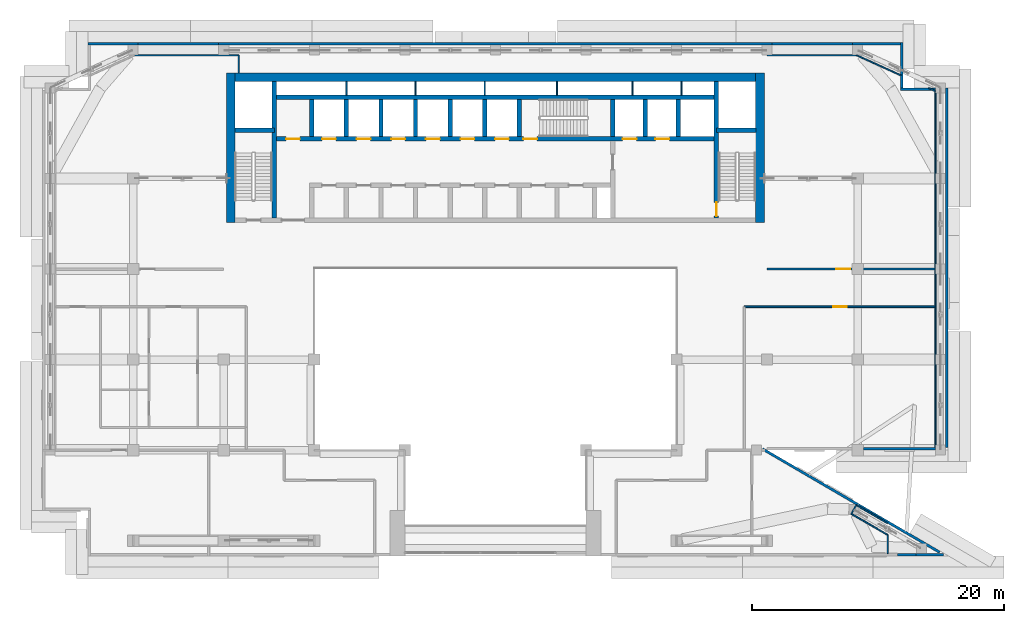
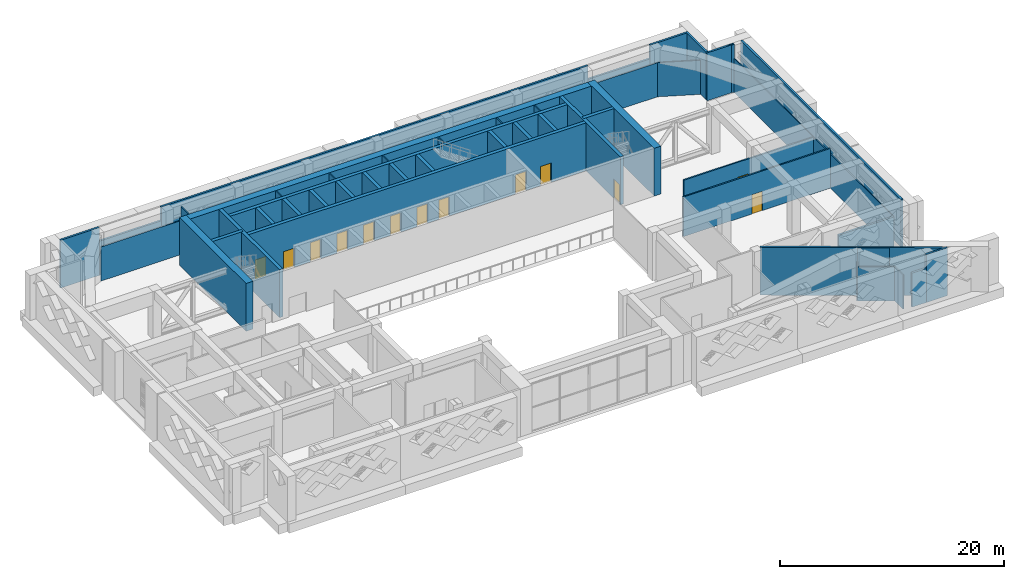
# One storey, part 10 of 20: 49 walls, 13 doors, 13 openings.
"""IFC4 building model written with IfcOpenShell, lengths in metres."""

from ifc_helpers import new_model, si_unit, direction, frame, frame_2d, origin, place, context, subcontext, project, spatial, rectangle, extrude, material, layer, layer_set, type_object, element, fill, save


model = new_model("IFC4")

# Units and contexts
model_context = context("Model", 3, precision=1e-05, world=origin(), true_north=direction((0.0, 1.0)))
body_context = subcontext(model_context, "Body", "Model", "MODEL_VIEW")
ifc_project = project(units=[si_unit("LENGTHUNIT", "METRE"), si_unit("AREAUNIT", "SQUARE_METRE"), si_unit("VOLUMEUNIT", "CUBIC_METRE"), si_unit("PLANEANGLEUNIT", "RADIAN"), si_unit("MASSUNIT", "GRAM", prefix="KILO")], contexts=[model_context])

# Site, building, storey
site_placement = place(None, origin())
site = spatial("IfcSite", under=ifc_project, at=site_placement, CompositionType="ELEMENT")
building_placement = place(site_placement, origin())
building = spatial("IfcBuilding", under=site, at=building_placement, Name="Saffron Iwan Residences", CompositionType="ELEMENT")
storey_placement = place(building_placement, frame((0.0, 0.0, 206.0)))
storey = spatial("IfcBuildingStorey", under=building, at=storey_placement, Name="L55", CompositionType="ELEMENT", Elevation=206.0)

# Wall, opening, door
ifc_material_1 = material(Name="Concrete blockwork", Category="masonry")
ifc_layer_1 = layer(ifc_material_1, 0.14990234375)
ifc_layer_set_1 = layer_set([ifc_layer_1], Name="Concrete blockwork")
wall_type_1 = type_object("IfcWallType", Name="Blockwork partition 150", PredefinedType="PARTITIONING", material=ifc_layer_set_1)
wall_1_placement = place(storey_placement, frame((70.199951171875, 59.39990234375, 0.0), z_axis=(0.0, 0.0, 1.0), x_axis=(1.0, 0.0, 0.0)))
wall_1 = element("IfcWall", 1, at=wall_1_placement, inside=storey, type_object=wall_type_1, Name="W-L55-017", PredefinedType="PARTITIONING", context=body_context, shape_type="SweptSolid", body=[
    extrude(rectangle(XDim=15.150146484375, YDim=0.14990234375, at=frame_2d((7.5751953125, 0.0))), origin(), (0.0, 0.0, 1.0), 4.320068359375),
])
opening_1_placement = place(wall_1_placement, frame((7.050048828125, 0.0, 0.0)))
opening_1 = element("IfcOpeningElement", 2, at=opening_1_placement, cuts=wall_1, Name="Opening L55.09", PredefinedType="OPENING", context=body_context, shape_type="SweptSolid", body=[
    extrude(rectangle(XDim=1.10009765625, YDim=2.10009765625, at=frame_2d((0.550048828125, 1.050048828125))), frame((0.0, 0.0849609375, 0.0), z_axis=(0.0, -1.0, 0.0), x_axis=(1.0, 0.0, 0.0)), (0.0, 0.0, 1.0), 0.169921875),
])
ifc_material_2 = material(Name="Steel", Category="steel")
door_type_1 = type_object("IfcDoorType", Name="Fire door 1100x2100", OperationType="NOTDEFINED", PredefinedType="DOOR", material=ifc_material_2)
door_1_placement = place(opening_1_placement, origin())
door_1 = element("IfcDoor", 3, at=door_1_placement, inside=storey, type_object=door_type_1, Name="D-L55-009", OperationType="SINGLE_SWING_RIGHT", OverallHeight=2.10009765625, OverallWidth=1.10009765625, PredefinedType="DOOR", context=body_context, shape_type="SweptSolid", body=[
    extrude(rectangle(XDim=1.10009765625, YDim=2.10009765625, at=frame_2d((0.550048828125, 1.050048828125))), frame((0.0, 0.02490234375, 0.0), z_axis=(0.0, -1.0, 0.0), x_axis=(1.0, 0.0, 0.0)), (0.0, 0.0, 1.0), 0.050048828125),
])
fill(opening_1, door_1)

wall_2_placement = place(storey_placement, frame((72.0, 62.39990234375, 0.0), z_axis=(0.0, 0.0, 1.0), x_axis=(1.0, 0.0, 0.0)))
wall_2 = element("IfcWall", 4, at=wall_2_placement, inside=storey, type_object=wall_type_1, Name="W-L55-018", PredefinedType="PARTITIONING", context=body_context, shape_type="SweptSolid", body=[
    extrude(rectangle(XDim=13.35009765625, YDim=0.14990234375, at=frame_2d((6.675048828125, 0.0))), origin(), (0.0, 0.0, 1.0), 3.719970703125),
])
opening_2_placement = place(wall_2_placement, frame((5.5, 0.0, 0.0)))
opening_2 = element("IfcOpeningElement", 5, at=opening_2_placement, cuts=wall_2, Name="Opening L55.10", PredefinedType="OPENING", context=body_context, shape_type="SweptSolid", body=[
    extrude(rectangle(XDim=1.10009765625, YDim=2.10009765625, at=frame_2d((0.550048828125, 1.050048828125))), frame((0.0, 0.0849609375, 0.0), z_axis=(0.0, -1.0, 0.0), x_axis=(1.0, 0.0, 0.0)), (0.0, 0.0, 1.0), 0.169921875),
])
door_2_placement = place(opening_2_placement, origin())
door_2 = element("IfcDoor", 6, at=door_2_placement, inside=storey, type_object=door_type_1, Name="D-L55-010", OperationType="SINGLE_SWING_LEFT", OverallHeight=2.10009765625, OverallWidth=1.10009765625, PredefinedType="DOOR", context=body_context, shape_type="SweptSolid", body=[
    extrude(rectangle(XDim=1.10009765625, YDim=2.10009765625, at=frame_2d((0.550048828125, 1.050048828125))), frame((0.0, 0.02490234375, 0.0), z_axis=(0.0, -1.0, 0.0), x_axis=(1.0, 0.0, 0.0)), (0.0, 0.0, 1.0), 0.050048828125),
])
fill(opening_2, door_2)

# Walls
ifc_material_3 = material(Name="Concrete C40/50", Category="concrete")
ifc_layer_2 = layer(ifc_material_3, 0.199951171875)
ifc_layer_set_2 = layer_set([ifc_layer_2], Name="Concrete C40/50")
wall_type_2 = type_object("IfcWallType", Name="EXTERNAL WALL 200", PredefinedType="SOLIDWALL", material=ifc_layer_set_2)
wall_3_placement = place(storey_placement, frame((85.71923828125, 39.88134765625, 0.0), z_axis=(0.0, 0.0, 1.0), x_axis=(-0.86377618652, 0.503875678716, 0.0)))
element("IfcWall", 7, at=wall_3_placement, inside=storey, type_object=wall_type_2, Name="External wall L55 F0.0", PredefinedType="SOLIDWALL", context=body_context, shape_type="SweptSolid", body=[
    extrude(rectangle(XDim=16.31103515625, YDim=0.199951171875, at=frame_2d((8.155517578125, 0.0))), origin(), (0.0, 0.0, 1.0), 5.219970703125),
])
wall_4_placement = place(storey_placement, frame((79.64990234375, 48.10009765625, 0.0), z_axis=(0.0, 0.0, 1.0), x_axis=(1.0, 0.0, 0.0)))
element("IfcWall", 8, at=wall_4_placement, inside=storey, type_object=wall_type_2, Name="External wall L55 F1.1", PredefinedType="SOLIDWALL", context=body_context, shape_type="SweptSolid", body=[
    extrude(rectangle(XDim=5.75, YDim=0.199951171875, at=frame_2d((2.875, 0.0))), origin(), (0.0, 0.0, 1.0), 3.719970703125),
])
wall_5_placement = place(storey_placement, frame((86.300048828125, 48.199951171875, 0.0), z_axis=(0.0, 0.0, 1.0), x_axis=(0.0, 1.0, 0.0)))
element("IfcWall", 9, at=wall_5_placement, inside=storey, type_object=wall_type_2, Name="External wall L55 F2.0", PredefinedType="SOLIDWALL", context=body_context, shape_type="SweptSolid", body=[
    extrude(rectangle(XDim=28.60009765625, YDim=0.199951171875, at=frame_2d((14.300048828125, 0.0))), origin(), (0.0, 0.0, 1.0), 5.219970703125),
])
wall_6_placement = place(storey_placement, frame((85.39990234375, 76.699951171875, 0.0), z_axis=(0.0, 0.0, 1.0), x_axis=(-1.0, 0.0, 0.0)))
element("IfcWall", 10, at=wall_6_placement, inside=storey, type_object=wall_type_2, Name="External wall L55 F3.0", PredefinedType="SOLIDWALL", context=body_context, shape_type="SweptSolid", body=[
    extrude(rectangle(XDim=2.7998046875, YDim=0.199951171875, at=frame_2d((1.39990234375, 0.0))), origin(), (0.0, 0.0, 1.0), 5.219970703125),
])
wall_7_placement = place(storey_placement, frame((82.699951171875, 76.800048828125, 0.0), z_axis=(0.0, 0.0, 1.0), x_axis=(0.0, 1.0, 0.0)))
element("IfcWall", 11, at=wall_7_placement, inside=storey, type_object=wall_type_2, Name="External wall L55 F4.0", PredefinedType="SOLIDWALL", context=body_context, shape_type="SweptSolid", body=[
    extrude(rectangle(XDim=3.599853515625, YDim=0.199951171875, at=frame_2d((1.7998046875, 0.0))), origin(), (0.0, 0.0, 1.0), 5.219970703125),
])
wall_8_placement = place(storey_placement, frame((82.60009765625, 80.300048828125, 0.0), z_axis=(0.0, 0.0, 1.0), x_axis=(-1.0, 0.0, 0.0)))
element("IfcWall", 12, at=wall_8_placement, inside=storey, type_object=wall_type_2, Name="External wall L55 F5.0", PredefinedType="SOLIDWALL", context=body_context, shape_type="SweptSolid", body=[
    extrude(rectangle(XDim=3.800048828125, YDim=0.199951171875, at=frame_2d((1.89990234375, 0.0))), origin(), (0.0, 0.0, 1.0), 5.219970703125),
])
wall_9_placement = place(storey_placement, frame((78.800048828125, 80.300048828125, 0.0), z_axis=(0.0, 0.0, 1.0), x_axis=(-1.0, 0.0, 0.0)))
element("IfcWall", 13, at=wall_9_placement, inside=storey, type_object=wall_type_2, Name="External wall L55 F5.0-1", PredefinedType="SOLIDWALL", context=body_context, shape_type="SweptSolid", body=[
    extrude(rectangle(XDim=6.400146484375, YDim=0.199951171875, at=frame_2d((3.2001953125, 0.0))), origin(), (0.0, 0.0, 1.0), 3.719970703125),
])
wall_10_placement = place(storey_placement, frame((72.39990234375, 80.300048828125, 0.0), z_axis=(0.0, 0.0, 1.0), x_axis=(-1.0, 0.0, 0.0)))
element("IfcWall", 14, at=wall_10_placement, inside=storey, type_object=wall_type_2, Name="External wall L55 F5.0-2", PredefinedType="SOLIDWALL", context=body_context, shape_type="SweptSolid", body=[
    extrude(rectangle(XDim=44.0, YDim=0.199951171875, at=frame_2d((22.0, 0.0))), origin(), (0.0, 0.0, 1.0), 5.219970703125),
])
wall_11_placement = place(storey_placement, frame((28.39990234375, 80.300048828125, 0.0), z_axis=(0.0, 0.0, 1.0), x_axis=(-1.0, 0.0, 0.0)))
element("IfcWall", 15, at=wall_11_placement, inside=storey, type_object=wall_type_2, Name="External wall L55 F5.0-3", PredefinedType="SOLIDWALL", context=body_context, shape_type="SweptSolid", body=[
    extrude(rectangle(XDim=6.39990234375, YDim=0.199951171875, at=frame_2d((3.199951171875, 0.0))), origin(), (0.0, 0.0, 1.0), 3.719970703125),
])
wall_12_placement = place(storey_placement, frame((22.0, 80.300048828125, 0.0), z_axis=(0.0, 0.0, 1.0), x_axis=(-1.0, 0.0, 0.0)))
element("IfcWall", 16, at=wall_12_placement, inside=storey, type_object=wall_type_2, Name="External wall L55 F5.0-4", PredefinedType="SOLIDWALL", context=body_context, shape_type="SweptSolid", body=[
    extrude(rectangle(XDim=4.0, YDim=0.199951171875, at=frame_2d((2.0, 0.0))), origin(), (0.0, 0.0, 1.0), 5.219970703125),
])
wall_13_placement = place(storey_placement, frame((82.3828125, 39.699951171875, 0.0), z_axis=(0.0, 0.0, 1.0), x_axis=(1.0, 0.0, 0.0)))
element("IfcWall", 17, at=wall_13_placement, inside=storey, type_object=wall_type_2, Name="External wall L55 F11.1-1", PredefinedType="SOLIDWALL", context=body_context, shape_type="SweptSolid", body=[
    extrude(rectangle(XDim=1.477783203125, YDim=0.199951171875, at=frame_2d((0.73876953125, 0.0))), origin(), (0.0, 0.0, 1.0), 3.719970703125),
])
wall_14_placement = place(storey_placement, frame((83.860595703125, 39.699951171875, 0.0), z_axis=(0.0, 0.0, 1.0), x_axis=(1.0, 0.0, 0.0)))
element("IfcWall", 18, at=wall_14_placement, inside=storey, type_object=wall_type_2, Name="External wall L55 F11.1-2", PredefinedType="SOLIDWALL", context=body_context, shape_type="SweptSolid", body=[
    extrude(rectangle(XDim=2.16943359375, YDim=0.199951171875, at=frame_2d((1.084716796875, 0.0))), origin(), (0.0, 0.0, 1.0), 5.219970703125),
])
ifc_material_4 = material(Name="Glass", Category="glass")
ifc_layer_3 = layer(ifc_material_4, 0.10009765625)
ifc_layer_set_3 = layer_set([ifc_layer_3], Name="Glass")
wall_type_3 = type_object("IfcWallType", Name="Glazed screen wall 100", PredefinedType="PARTITIONING", material=ifc_layer_set_3)
wall_15_placement = place(storey_placement, frame((21.68701171875, 79.39990234375, 0.0), z_axis=(0.0, 0.0, 1.0), x_axis=(1.0, 0.0, 0.0)))
element("IfcWall", 19, at=wall_15_placement, inside=storey, type_object=wall_type_3, Name="W-L55-020", PredefinedType="PARTITIONING", context=body_context, shape_type="SweptSolid", body=[
    extrude(rectangle(XDim=8.31298828125, YDim=0.10009765625, at=frame_2d((4.156494140625, 0.0))), origin(), (0.0, 0.0, 1.0), 3.719970703125),
])
wall_16_placement = place(storey_placement, frame((72.0, 79.39990234375, 0.0), z_axis=(0.0, 0.0, 1.0), x_axis=(1.0, 0.0, 0.0)))
element("IfcWall", 20, at=wall_16_placement, inside=storey, type_object=wall_type_3, Name="W-L55-021", PredefinedType="PARTITIONING", context=body_context, shape_type="SweptSolid", body=[
    extrude(rectangle(XDim=7.113037109375, YDim=0.10009765625, at=frame_2d((3.556640625, 0.0))), origin(), (0.0, 0.0, 1.0), 3.719970703125),
])
wall_17_placement = place(storey_placement, frame((30.0, 78.001953125, 0.0), z_axis=(0.0, 0.0, 1.0), x_axis=(0.0, 1.0, 0.0)))
element("IfcWall", 21, at=wall_17_placement, inside=storey, type_object=wall_type_3, Name="W-L55-029", PredefinedType="PARTITIONING", context=body_context, shape_type="SweptSolid", body=[
    extrude(rectangle(XDim=1.39794921875, YDim=0.10009765625, at=frame_2d((0.698974609375, 0.0))), origin(), (0.0, 0.0, 1.0), 5.219970703125),
])
wall_18_placement = place(storey_placement, frame((81.5869140625, 39.77001953125, 0.0), z_axis=(0.0, 0.0, 1.0), x_axis=(0.0, 1.0, 0.0)))
element("IfcWall", 22, at=wall_18_placement, inside=storey, type_object=wall_type_3, Name="W-L55-046", PredefinedType="PARTITIONING", context=body_context, shape_type="SweptSolid", body=[
    extrude(rectangle(XDim=1.49609375, YDim=0.10009765625, at=frame_2d((0.748046875, 0.0))), origin(), (0.0, 0.0, 1.0), 3.719970703125),
])
wall_19_placement = place(storey_placement, frame((85.39990234375, 48.169921875, 0.0), z_axis=(0.0, 0.0, 1.0), x_axis=(0.0, 1.0, 0.0)))
element("IfcWall", 23, at=wall_19_placement, inside=storey, type_object=wall_type_3, Name="W-L55-047", PredefinedType="PARTITIONING", context=body_context, shape_type="SweptSolid", body=[
    extrude(rectangle(XDim=28.3720703125, YDim=0.10009765625, at=frame_2d((14.18603515625, 0.0))), origin(), (0.0, 0.0, 1.0), 3.719970703125),
])
wall_20_placement = place(storey_placement, frame((81.5869140625, 41.26611328125, 0.0), z_axis=(0.0, 0.0, 1.0), x_axis=(-0.865891839094, 0.500231269505, 0.0)))
element("IfcWall", 24, at=wall_20_placement, inside=storey, type_object=wall_type_3, Name="W-L55-050", PredefinedType="PARTITIONING", context=body_context, shape_type="SweptSolid", body=[
    extrude(rectangle(XDim=3.33642578125, YDim=0.10009765625, at=frame_2d((1.668212890625, 0.0))), origin(), (0.0, 0.0, 1.0), 3.719970703125),
])
wall_21_placement = place(storey_placement, frame((78.697998046875, 42.93505859375, 0.0), z_axis=(0.0, 0.0, 1.0), x_axis=(0.499880961361, 0.866094119867, 0.0)))
element("IfcWall", 25, at=wall_21_placement, inside=storey, type_object=wall_type_3, Name="W-L55-051", PredefinedType="PARTITIONING", context=body_context, shape_type="SweptSolid", body=[
    extrude(rectangle(XDim=0.800048828125, YDim=0.10009765625, at=frame_2d((0.39990234375, 0.0))), origin(), (0.0, 0.0, 1.0), 3.719970703125),
])
wall_22_placement = place(storey_placement, frame((79.097900390625, 43.6279296875, 0.0), z_axis=(0.0, 0.0, 1.0), x_axis=(0.865881423994, -0.500249297433, 0.0)))
element("IfcWall", 26, at=wall_22_placement, inside=storey, type_object=wall_type_3, Name="W-L55-052", PredefinedType="PARTITIONING", context=body_context, shape_type="SweptSolid", body=[
    extrude(rectangle(XDim=2.87451171875, YDim=0.10009765625, at=frame_2d((1.437255859375, 0.0))), origin(), (0.0, 0.0, 1.0), 5.219970703125),
])
wall_23_placement = place(storey_placement, frame((82.64501953125, 77.7939453125, 0.0), z_axis=(0.0, 0.0, 1.0), x_axis=(-0.910316907758, 0.413911980316, 0.0)))
element("IfcWall", 27, at=wall_23_placement, inside=storey, type_object=wall_type_3, Name="W-L55-053", PredefinedType="PARTITIONING", context=body_context, shape_type="SweptSolid", body=[
    extrude(rectangle(XDim=3.8798828125, YDim=0.10009765625, at=frame_2d((1.93994140625, 0.0))), origin(), (0.0, 0.0, 1.0), 3.719970703125),
])
wall_24_placement = place(storey_placement, frame((85.39990234375, 76.5419921875, 0.0), z_axis=(0.0, 0.0, 1.0), x_axis=(-0.910138141385, 0.414304916212, 0.0)))
element("IfcWall", 28, at=wall_24_placement, inside=storey, type_object=wall_type_3, Name="W-L55-054", PredefinedType="PARTITIONING", context=body_context, shape_type="SweptSolid", body=[
    extrude(rectangle(XDim=0.622802734375, YDim=0.10009765625, at=frame_2d((0.3115234375, 0.0))), origin(), (0.0, 0.0, 1.0), 5.219970703125),
])
ifc_material_5 = material(Name="Fire-rated plasterboard partition")
ifc_layer_4 = layer(ifc_material_5, 0.10009765625)
ifc_layer_set_4 = layer_set([ifc_layer_4], Name="Fire-rated plasterboard partition")
wall_type_4 = type_object("IfcWallType", Name="Riser partition 100", PredefinedType="PARTITIONING", material=ifc_layer_set_4)
for number, where, z_axis, x_axis, name in (
    (29, (38.550048828125, 76.22509765625, 0.0), (0.0, 0.0, 1.0), (0.0, 1.0, 0.0), "Core partition P01"),
    (30, (44.050048828125, 76.22509765625, 0.0), (0.0, 0.0, 1.0), (0.0, 1.0, 0.0), "Core partition P02"),
    (31, (49.550048828125, 76.22509765625, 0.0), (0.0, 0.0, 1.0), (0.0, 1.0, 0.0), "Core partition P03"),
    (32, (55.300048828125, 76.22509765625, 0.0), (0.0, 0.0, 1.0), (0.0, 1.0, 0.0), "Core partition P04"),
    (33, (61.300048828125, 76.22509765625, 0.0), (0.0, 0.0, 1.0), (0.0, 1.0, 0.0), "Core partition P05"),
    (34, (65.199951171875, 76.22509765625, 0.0), (0.0, 0.0, 1.0), (0.0, 1.0, 0.0), "Core partition P06"),
):
    element("IfcWall", number, at=place(storey_placement, frame(where, z_axis=z_axis, x_axis=x_axis)), inside=storey, type_object=wall_type_4, Name=name, PredefinedType="PARTITIONING", context=body_context, shape_type="SweptSolid", body=[
        extrude(rectangle(XDim=1.074951171875, YDim=0.10009765625, at=frame_2d((0.53759765625, 0.0))), origin(), (0.0, 0.0, 1.0), 5.219970703125),
    ])

# Wall, openings, doors
ifc_material_6 = material(Name="Concrete C50/60", Category="concrete")
ifc_layer_5 = layer(ifc_material_6, 0.35009765625)
ifc_layer_set_5 = layer_set([ifc_layer_5], Name="Concrete C50/60")
wall_type_5 = type_object("IfcWallType", Name="WALL CORE 350 C50/60 5220 HIGH", PredefinedType="SHEAR", material=ifc_layer_set_5)
wall_25_placement = place(storey_placement, frame((32.824951171875, 72.75, 0.0), z_axis=(0.0, 0.0, 1.0), x_axis=(1.0, 0.0, 0.0)))
wall_25 = element("IfcWall", 35, at=wall_25_placement, inside=storey, type_object=wall_type_5, Name="Core wall", PredefinedType="SHEAR", context=body_context, shape_type="SweptSolid", body=[
    extrude(rectangle(XDim=35.150146484375, YDim=0.35009765625, at=frame_2d((17.5751953125, 0.0))), origin(), (0.0, 0.0, 1.0), 5.219970703125),
])
opening_3_placement = place(wall_25_placement, frame((19.800048828125, 0.0, 0.0)))
opening_3 = element("IfcOpeningElement", 36, at=opening_3_placement, cuts=wall_25, Name="Opening SD", PredefinedType="OPENING", context=body_context, shape_type="SweptSolid", body=[
    extrude(rectangle(XDim=1.10009765625, YDim=2.10009765625, at=frame_2d((0.550048828125, 1.050048828125))), frame((0.0, 0.18505859375, 0.0), z_axis=(0.0, -1.0, 0.0), x_axis=(1.0, 0.0, 0.0)), (0.0, 0.0, 1.0), 0.3701171875),
])
opening_4_placement = place(wall_25_placement, frame((27.699951171875, 0.0, 0.0)))
opening_4 = element("IfcOpeningElement", 37, at=opening_4_placement, cuts=wall_25, Name="Opening LD", PredefinedType="OPENING", context=body_context, shape_type="SweptSolid", body=[
    extrude(rectangle(XDim=1.10009765625, YDim=2.10009765625, at=frame_2d((0.550048828125, 1.050048828125))), frame((0.0, 0.18505859375, 0.0), z_axis=(0.0, -1.0, 0.0), x_axis=(1.0, 0.0, 0.0)), (0.0, 0.0, 1.0), 0.3701171875),
])
opening_5_placement = place(wall_25_placement, frame((30.300048828125, 0.0, 0.0)))
opening_5 = element("IfcOpeningElement", 38, at=opening_5_placement, cuts=wall_25, Name="Opening LD", PredefinedType="OPENING", context=body_context, shape_type="SweptSolid", body=[
    extrude(rectangle(XDim=1.10009765625, YDim=2.10009765625, at=frame_2d((0.550048828125, 1.050048828125))), frame((0.0, 0.18505859375, 0.0), z_axis=(0.0, -1.0, 0.0), x_axis=(1.0, 0.0, 0.0)), (0.0, 0.0, 1.0), 0.3701171875),
])
opening_6_placement = place(wall_25_placement, frame((3.800048828125, 0.0, 0.0)))
opening_6 = element("IfcOpeningElement", 39, at=opening_6_placement, cuts=wall_25, Name="Opening LD", PredefinedType="OPENING", context=body_context, shape_type="SweptSolid", body=[
    extrude(rectangle(XDim=1.10009765625, YDim=2.10009765625, at=frame_2d((0.550048828125, 1.050048828125))), frame((0.0, 0.18505859375, 0.0), z_axis=(0.0, -1.0, 0.0), x_axis=(1.0, 0.0, 0.0)), (0.0, 0.0, 1.0), 0.3701171875),
])
opening_7_placement = place(wall_25_placement, frame((6.550048828125, 0.0, 0.0)))
opening_7 = element("IfcOpeningElement", 40, at=opening_7_placement, cuts=wall_25, Name="Opening LD", PredefinedType="OPENING", context=body_context, shape_type="SweptSolid", body=[
    extrude(rectangle(XDim=1.10009765625, YDim=2.10009765625, at=frame_2d((0.550048828125, 1.050048828125))), frame((0.0, 0.18505859375, 0.0), z_axis=(0.0, -1.0, 0.0), x_axis=(1.0, 0.0, 0.0)), (0.0, 0.0, 1.0), 0.3701171875),
])
opening_8_placement = place(wall_25_placement, frame((9.300048828125, 0.0, 0.0)))
opening_8 = element("IfcOpeningElement", 41, at=opening_8_placement, cuts=wall_25, Name="Opening LD", PredefinedType="OPENING", context=body_context, shape_type="SweptSolid", body=[
    extrude(rectangle(XDim=1.10009765625, YDim=2.10009765625, at=frame_2d((0.550048828125, 1.050048828125))), frame((0.0, 0.18505859375, 0.0), z_axis=(0.0, -1.0, 0.0), x_axis=(1.0, 0.0, 0.0)), (0.0, 0.0, 1.0), 0.3701171875),
])
opening_9_placement = place(wall_25_placement, frame((12.050048828125, 0.0, 0.0)))
opening_9 = element("IfcOpeningElement", 42, at=opening_9_placement, cuts=wall_25, Name="Opening LD", PredefinedType="OPENING", context=body_context, shape_type="SweptSolid", body=[
    extrude(rectangle(XDim=1.10009765625, YDim=2.10009765625, at=frame_2d((0.550048828125, 1.050048828125))), frame((0.0, 0.18505859375, 0.0), z_axis=(0.0, -1.0, 0.0), x_axis=(1.0, 0.0, 0.0)), (0.0, 0.0, 1.0), 0.3701171875),
])
opening_10_placement = place(wall_25_placement, frame((14.800048828125, 0.0, 0.0)))
opening_10 = element("IfcOpeningElement", 43, at=opening_10_placement, cuts=wall_25, Name="Opening LD", PredefinedType="OPENING", context=body_context, shape_type="SweptSolid", body=[
    extrude(rectangle(XDim=1.10009765625, YDim=2.10009765625, at=frame_2d((0.550048828125, 1.050048828125))), frame((0.0, 0.18505859375, 0.0), z_axis=(0.0, -1.0, 0.0), x_axis=(1.0, 0.0, 0.0)), (0.0, 0.0, 1.0), 0.3701171875),
])
opening_11_placement = place(wall_25_placement, frame((17.550048828125, 0.0, 0.0)))
opening_11 = element("IfcOpeningElement", 44, at=opening_11_placement, cuts=wall_25, Name="Opening LD", PredefinedType="OPENING", context=body_context, shape_type="SweptSolid", body=[
    extrude(rectangle(XDim=1.10009765625, YDim=2.10009765625, at=frame_2d((0.550048828125, 1.050048828125))), frame((0.0, 0.18505859375, 0.0), z_axis=(0.0, -1.0, 0.0), x_axis=(1.0, 0.0, 0.0)), (0.0, 0.0, 1.0), 0.3701171875),
])
opening_12_placement = place(wall_25_placement, frame((0.9375, 0.0, 0.0)))
opening_12 = element("IfcOpeningElement", 45, at=opening_12_placement, cuts=wall_25, Name="Opening SR", PredefinedType="OPENING", context=body_context, shape_type="SweptSolid", body=[
    extrude(rectangle(XDim=1.10009765625, YDim=2.10009765625, at=frame_2d((0.550048828125, 1.050048828125))), frame((0.0, 0.18505859375, 0.0), z_axis=(0.0, -1.0, 0.0), x_axis=(1.0, 0.0, 0.0)), (0.0, 0.0, 1.0), 0.3701171875),
])
ifc_material_7 = material(Name="Steel fire door", Category="steel")
door_type_2 = type_object("IfcDoorType", Name="Lift landing door 1100", OperationType="SLIDING_TO_LEFT", PredefinedType="DOOR", material=ifc_material_7)
door_3_placement = place(opening_4_placement, origin())
door_3 = element("IfcDoor", 46, at=door_3_placement, inside=storey, type_object=door_type_2, Name="Landing doors FF1", OperationType="SLIDING_TO_LEFT", OverallHeight=2.10009765625, OverallWidth=1.10009765625, PredefinedType="DOOR", context=body_context, shape_type="SweptSolid", body=[
    extrude(rectangle(XDim=1.10009765625, YDim=2.10009765625, at=frame_2d((0.550048828125, 1.050048828125))), frame((0.0, 0.02490234375, 0.0), z_axis=(0.0, -1.0, 0.0), x_axis=(1.0, 0.0, 0.0)), (0.0, 0.0, 1.0), 0.050048828125),
])
fill(opening_4, door_3)
door_4_placement = place(opening_5_placement, origin())
door_4 = element("IfcDoor", 47, at=door_4_placement, inside=storey, type_object=door_type_2, Name="Landing doors FF2", OperationType="SLIDING_TO_LEFT", OverallHeight=2.10009765625, OverallWidth=1.10009765625, PredefinedType="DOOR", context=body_context, shape_type="SweptSolid", body=[
    extrude(rectangle(XDim=1.10009765625, YDim=2.10009765625, at=frame_2d((0.550048828125, 1.050048828125))), frame((0.0, 0.02490234375, 0.0), z_axis=(0.0, -1.0, 0.0), x_axis=(1.0, 0.0, 0.0)), (0.0, 0.0, 1.0), 0.050048828125),
])
fill(opening_5, door_4)
door_5_placement = place(opening_6_placement, origin())
door_5 = element("IfcDoor", 48, at=door_5_placement, inside=storey, type_object=door_type_2, Name="Landing doors HR1", OperationType="SLIDING_TO_LEFT", OverallHeight=2.10009765625, OverallWidth=1.10009765625, PredefinedType="DOOR", context=body_context, shape_type="SweptSolid", body=[
    extrude(rectangle(XDim=1.10009765625, YDim=2.10009765625, at=frame_2d((0.550048828125, 1.050048828125))), frame((0.0, 0.02490234375, 0.0), z_axis=(0.0, -1.0, 0.0), x_axis=(1.0, 0.0, 0.0)), (0.0, 0.0, 1.0), 0.050048828125),
])
fill(opening_6, door_5)
door_6_placement = place(opening_7_placement, origin())
door_6 = element("IfcDoor", 49, at=door_6_placement, inside=storey, type_object=door_type_2, Name="Landing doors HR2", OperationType="SLIDING_TO_LEFT", OverallHeight=2.10009765625, OverallWidth=1.10009765625, PredefinedType="DOOR", context=body_context, shape_type="SweptSolid", body=[
    extrude(rectangle(XDim=1.10009765625, YDim=2.10009765625, at=frame_2d((0.550048828125, 1.050048828125))), frame((0.0, 0.02490234375, 0.0), z_axis=(0.0, -1.0, 0.0), x_axis=(1.0, 0.0, 0.0)), (0.0, 0.0, 1.0), 0.050048828125),
])
fill(opening_7, door_6)
door_7_placement = place(opening_8_placement, origin())
door_7 = element("IfcDoor", 50, at=door_7_placement, inside=storey, type_object=door_type_2, Name="Landing doors HR3", OperationType="SLIDING_TO_LEFT", OverallHeight=2.10009765625, OverallWidth=1.10009765625, PredefinedType="DOOR", context=body_context, shape_type="SweptSolid", body=[
    extrude(rectangle(XDim=1.10009765625, YDim=2.10009765625, at=frame_2d((0.550048828125, 1.050048828125))), frame((0.0, 0.02490234375, 0.0), z_axis=(0.0, -1.0, 0.0), x_axis=(1.0, 0.0, 0.0)), (0.0, 0.0, 1.0), 0.050048828125),
])
fill(opening_8, door_7)
door_8_placement = place(opening_9_placement, origin())
door_8 = element("IfcDoor", 51, at=door_8_placement, inside=storey, type_object=door_type_2, Name="Landing doors HR4", OperationType="SLIDING_TO_LEFT", OverallHeight=2.10009765625, OverallWidth=1.10009765625, PredefinedType="DOOR", context=body_context, shape_type="SweptSolid", body=[
    extrude(rectangle(XDim=1.10009765625, YDim=2.10009765625, at=frame_2d((0.550048828125, 1.050048828125))), frame((0.0, 0.02490234375, 0.0), z_axis=(0.0, -1.0, 0.0), x_axis=(1.0, 0.0, 0.0)), (0.0, 0.0, 1.0), 0.050048828125),
])
fill(opening_9, door_8)
door_9_placement = place(opening_10_placement, origin())
door_9 = element("IfcDoor", 52, at=door_9_placement, inside=storey, type_object=door_type_2, Name="Landing doors HR5", OperationType="SLIDING_TO_LEFT", OverallHeight=2.10009765625, OverallWidth=1.10009765625, PredefinedType="DOOR", context=body_context, shape_type="SweptSolid", body=[
    extrude(rectangle(XDim=1.10009765625, YDim=2.10009765625, at=frame_2d((0.550048828125, 1.050048828125))), frame((0.0, 0.02490234375, 0.0), z_axis=(0.0, -1.0, 0.0), x_axis=(1.0, 0.0, 0.0)), (0.0, 0.0, 1.0), 0.050048828125),
])
fill(opening_10, door_9)
door_10_placement = place(opening_11_placement, origin())
door_10 = element("IfcDoor", 53, at=door_10_placement, inside=storey, type_object=door_type_2, Name="Landing doors HR6", OperationType="SLIDING_TO_LEFT", OverallHeight=2.10009765625, OverallWidth=1.10009765625, PredefinedType="DOOR", context=body_context, shape_type="SweptSolid", body=[
    extrude(rectangle(XDim=1.10009765625, YDim=2.10009765625, at=frame_2d((0.550048828125, 1.050048828125))), frame((0.0, 0.02490234375, 0.0), z_axis=(0.0, -1.0, 0.0), x_axis=(1.0, 0.0, 0.0)), (0.0, 0.0, 1.0), 0.050048828125),
])
fill(opening_11, door_10)
door_type_3 = type_object("IfcDoorType", Name="Service door 1100", OperationType="NOTDEFINED", PredefinedType="DOOR", material=ifc_material_7)
door_11_placement = place(opening_12_placement, origin())
door_11 = element("IfcDoor", 54, at=door_11_placement, inside=storey, type_object=door_type_3, Name="Door Refuge area", OperationType="SINGLE_SWING_LEFT", OverallHeight=2.10009765625, OverallWidth=1.10009765625, PredefinedType="DOOR", context=body_context, shape_type="SweptSolid", body=[
    extrude(rectangle(XDim=1.10009765625, YDim=2.10009765625, at=frame_2d((0.550048828125, 1.050048828125))), frame((0.0, 0.02490234375, 0.0), z_axis=(0.0, -1.0, 0.0), x_axis=(1.0, 0.0, 0.0)), (0.0, 0.0, 1.0), 0.050048828125),
])
fill(opening_12, door_11)
door_type_4 = type_object("IfcDoorType", Name="Stair door 1100", OperationType="NOTDEFINED", PredefinedType="DOOR", material=ifc_material_7)
door_12_placement = place(opening_3_placement, origin())
door_12 = element("IfcDoor", 55, at=door_12_placement, inside=storey, type_object=door_type_4, Name="Stair door ST-C", OperationType="SINGLE_SWING_LEFT", OverallHeight=2.10009765625, OverallWidth=1.10009765625, PredefinedType="DOOR", context=body_context, shape_type="SweptSolid", body=[
    extrude(rectangle(XDim=1.10009765625, YDim=2.10009765625, at=frame_2d((0.550048828125, 1.050048828125))), frame((0.0, 0.02490234375, 0.0), z_axis=(0.0, -1.0, 0.0), x_axis=(1.0, 0.0, 0.0)), (0.0, 0.0, 1.0), 0.050048828125),
])
fill(opening_3, door_12)

# Walls
wall_26_placement = place(storey_placement, frame((32.824951171875, 76.050048828125, 0.0), z_axis=(0.0, 0.0, 1.0), x_axis=(1.0, 0.0, 0.0)))
element("IfcWall", 56, at=wall_26_placement, inside=storey, type_object=wall_type_5, Name="Core wall", PredefinedType="SHEAR", context=body_context, shape_type="SweptSolid", body=[
    extrude(rectangle(XDim=35.150146484375, YDim=0.35009765625, at=frame_2d((17.5751953125, 0.0))), origin(), (0.0, 0.0, 1.0), 5.219970703125),
])
for number, where, z_axis, x_axis, name in (
    (57, (29.699951171875, 73.425048828125, 0.0), (0.0, 0.0, 1.0), (1.0, 0.0, 0.0), "Core wall"),
    (58, (67.97509765625, 73.425048828125, 0.0), (0.0, 0.0, 1.0), (1.0, 0.0, 0.0), "Core wall"),
):
    element("IfcWall", number, at=place(storey_placement, frame(where, z_axis=z_axis, x_axis=x_axis)), inside=storey, type_object=wall_type_5, Name=name, PredefinedType="SHEAR", context=body_context, shape_type="SweptSolid", body=[
        extrude(rectangle(XDim=3.125, YDim=0.35009765625, at=frame_2d((1.5625, 0.0))), origin(), (0.0, 0.0, 1.0), 5.219970703125),
    ])
wall_27_placement = place(storey_placement, frame((32.824951171875, 66.449951171875, 0.0), z_axis=(0.0, 0.0, 1.0), x_axis=(0.0, 1.0, 0.0)))
element("IfcWall", 59, at=wall_27_placement, inside=storey, type_object=wall_type_5, Name="Core wall", PredefinedType="SHEAR", context=body_context, shape_type="SweptSolid", body=[
    extrude(rectangle(XDim=10.85009765625, YDim=0.35009765625, at=frame_2d((5.425048828125, 0.0))), origin(), (0.0, 0.0, 1.0), 5.219970703125),
])

# Wall, opening, door
wall_28_placement = place(storey_placement, frame((67.97509765625, 66.449951171875, 0.0), z_axis=(0.0, 0.0, 1.0), x_axis=(0.0, 1.0, 0.0)))
wall_28 = element("IfcWall", 60, at=wall_28_placement, inside=storey, type_object=wall_type_5, Name="Core wall", PredefinedType="SHEAR", context=body_context, shape_type="SweptSolid", body=[
    extrude(rectangle(XDim=10.85009765625, YDim=0.35009765625, at=frame_2d((5.425048828125, 0.0))), origin(), (0.0, 0.0, 1.0), 5.219970703125),
])
opening_13_placement = place(wall_28_placement, frame((0.14990234375, 0.0, 0.0)))
opening_13 = element("IfcOpeningElement", 61, at=opening_13_placement, cuts=wall_28, Name="Opening SD", PredefinedType="OPENING", context=body_context, shape_type="SweptSolid", body=[
    extrude(rectangle(XDim=1.10009765625, YDim=2.10009765625, at=frame_2d((0.550048828125, 1.050048828125))), frame((0.0, 0.18505859375, 0.0), z_axis=(0.0, -1.0, 0.0), x_axis=(1.0, 0.0, 0.0)), (0.0, 0.0, 1.0), 0.3701171875),
])
door_13_placement = place(opening_13_placement, origin())
door_13 = element("IfcDoor", 62, at=door_13_placement, inside=storey, type_object=door_type_4, Name="Stair door ST-E", OperationType="SINGLE_SWING_LEFT", OverallHeight=2.10009765625, OverallWidth=1.10009765625, PredefinedType="DOOR", context=body_context, shape_type="SweptSolid", body=[
    extrude(rectangle(XDim=1.10009765625, YDim=2.10009765625, at=frame_2d((0.550048828125, 1.050048828125))), frame((0.0, 0.02490234375, 0.0), z_axis=(0.0, -1.0, 0.0), x_axis=(1.0, 0.0, 0.0)), (0.0, 0.0, 1.0), 0.050048828125),
])
fill(opening_13, door_13)

# Walls
for number, where, z_axis, x_axis, name in (
    (63, (59.72509765625, 72.925048828125, 0.0), (0.0, 0.0, 1.0), (0.0, 1.0, 0.0), "Core wall"),
    (64, (35.800048828125, 72.925048828125, 0.0), (0.0, 0.0, 1.0), (0.0, 1.0, 0.0), "Core wall"),
    (65, (38.550048828125, 72.925048828125, 0.0), (0.0, 0.0, 1.0), (0.0, 1.0, 0.0), "Core wall"),
    (66, (41.300048828125, 72.925048828125, 0.0), (0.0, 0.0, 1.0), (0.0, 1.0, 0.0), "Core wall"),
    (67, (44.050048828125, 72.925048828125, 0.0), (0.0, 0.0, 1.0), (0.0, 1.0, 0.0), "Core wall"),
    (68, (46.800048828125, 72.925048828125, 0.0), (0.0, 0.0, 1.0), (0.0, 1.0, 0.0), "Core wall"),
    (69, (49.550048828125, 72.925048828125, 0.0), (0.0, 0.0, 1.0), (0.0, 1.0, 0.0), "Core wall"),
    (70, (52.300048828125, 72.925048828125, 0.0), (0.0, 0.0, 1.0), (0.0, 1.0, 0.0), "Core wall"),
    (71, (62.324951171875, 72.925048828125, 0.0), (0.0, 0.0, 1.0), (0.0, 1.0, 0.0), "Core wall"),
    (72, (64.925048828125, 72.925048828125, 0.0), (0.0, 0.0, 1.0), (0.0, 1.0, 0.0), "Core wall"),
):
    element("IfcWall", number, at=place(storey_placement, frame(where, z_axis=z_axis, x_axis=x_axis)), inside=storey, type_object=wall_type_5, Name=name, PredefinedType="SHEAR", context=body_context, shape_type="SweptSolid", body=[
        extrude(rectangle(XDim=2.949951171875, YDim=0.35009765625, at=frame_2d((1.47509765625, 0.0))), origin(), (0.0, 0.0, 1.0), 5.219970703125),
    ])
ifc_layer_6 = layer(ifc_material_6, 0.699951171875)
ifc_layer_set_6 = layer_set([ifc_layer_6], Name="Concrete C50/60")
wall_type_6 = type_object("IfcWallType", Name="WALL CORE 700 C50/60 5220 HIGH", PredefinedType="SHEAR", material=ifc_layer_set_6)
for number, where, z_axis, x_axis, name in (
    (73, (29.35009765625, 66.10009765625, 0.0), (0.0, 0.0, 1.0), (0.0, 1.0, 0.0), "Core wall"),
    (74, (71.449951171875, 66.10009765625, 0.0), (0.0, 0.0, 1.0), (0.0, 1.0, 0.0), "Core wall"),
):
    element("IfcWall", number, at=place(storey_placement, frame(where, z_axis=z_axis, x_axis=x_axis)), inside=storey, type_object=wall_type_6, Name=name, PredefinedType="SHEAR", context=body_context, shape_type="SweptSolid", body=[
        extrude(rectangle(XDim=11.89990234375, YDim=0.699951171875, at=frame_2d((5.949951171875, 0.0))), origin(), (0.0, 0.0, 1.0), 5.219970703125),
    ])
wall_29_placement = place(storey_placement, frame((29.699951171875, 77.64990234375, 0.0), z_axis=(0.0, 0.0, 1.0), x_axis=(1.0, 0.0, 0.0)))
element("IfcWall", 75, at=wall_29_placement, inside=storey, type_object=wall_type_6, Name="Core wall", PredefinedType="SHEAR", context=body_context, shape_type="SweptSolid", body=[
    extrude(rectangle(XDim=41.400146484375, YDim=0.699951171875, at=frame_2d((20.7001953125, 0.0))), origin(), (0.0, 0.0, 1.0), 5.219970703125),
])

save(model, "model.ifc")
